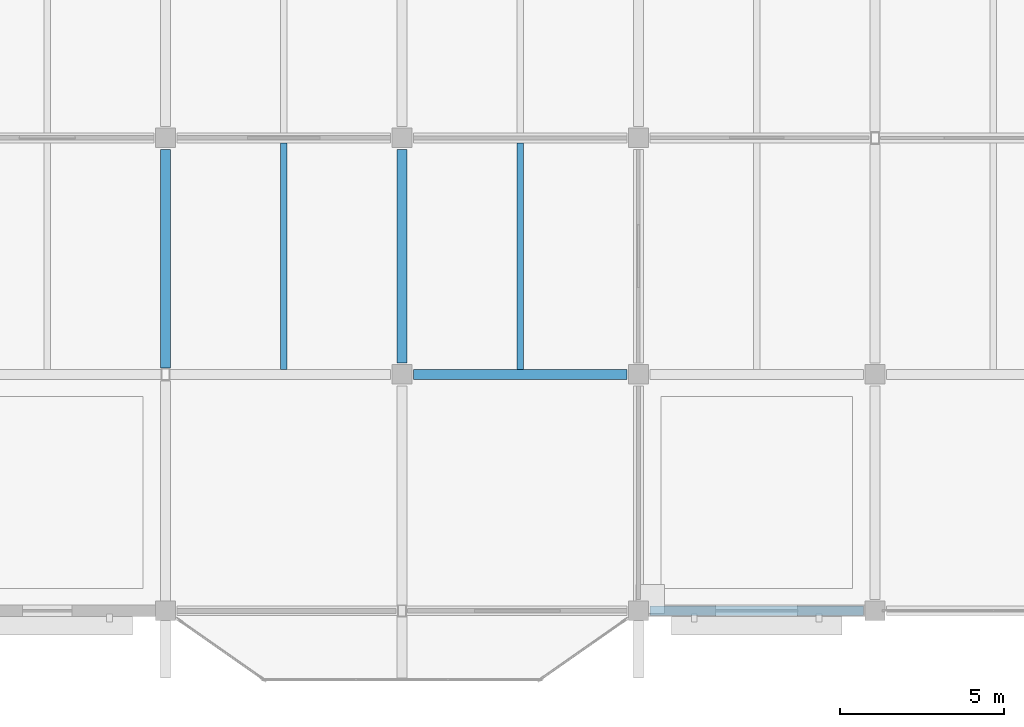
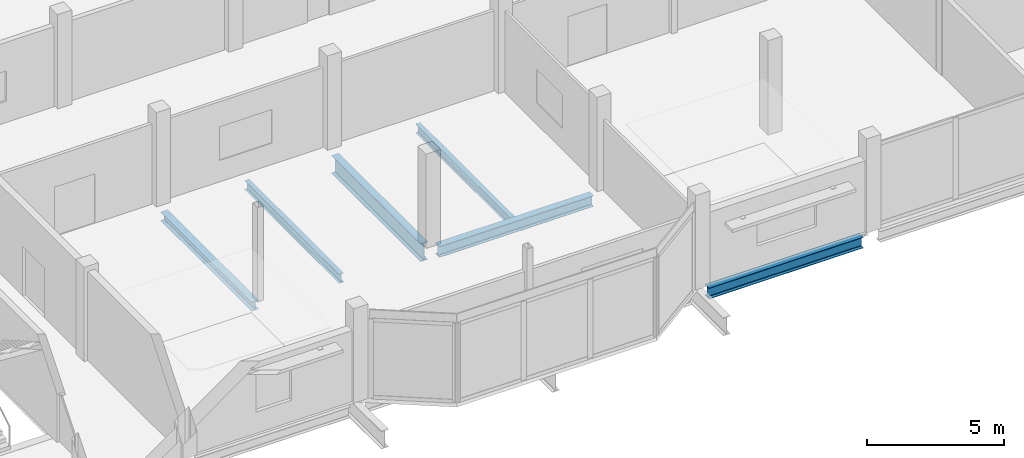
# One storey, part 26 of 51: 6 beams.
"""IFC4 building model written with IfcOpenShell, lengths in metres."""

from ifc_helpers import new_model, si_unit, direction, frame, origin, origin_2d, place, context, subcontext, project, spatial, i_section, extrude, material, material_profile, profile_set, type_object, element, save


model = new_model("IFC4")

# Units and contexts
model_context = context("Model", 3, precision=1e-05, world=origin(), true_north=direction((0.0, 1.0)))
body_context = subcontext(model_context, "Body", "Model", "MODEL_VIEW")
ifc_project = project(units=[si_unit("LENGTHUNIT", "METRE"), si_unit("AREAUNIT", "SQUARE_METRE"), si_unit("VOLUMEUNIT", "CUBIC_METRE"), si_unit("PLANEANGLEUNIT", "RADIAN"), si_unit("MASSUNIT", "GRAM", prefix="KILO")], contexts=[model_context])

# Site, building, storey
site_placement = place(None, origin())
site = spatial("IfcSite", under=ifc_project, at=site_placement, CompositionType="ELEMENT")
building_placement = place(site_placement, origin())
building = spatial("IfcBuilding", under=site, at=building_placement, Name="Vesperath Aquatics Centre", CompositionType="ELEMENT")
storey_placement = place(building_placement, frame((0.0, 0.0, 15.0)))
storey = spatial("IfcBuildingStorey", under=building, at=storey_placement, Name="L03", CompositionType="ELEMENT", Elevation=15.0)

# Beams
ifc_material_1 = material(Name="Steel Q355D", Category="steel")
ifc_material_profile_1 = material_profile(ifc_material_1, i_section(OverallWidth=0.300048828125, OverallDepth=0.800048828125, WebThickness=0.013916015625, FlangeThickness=0.02587890625, FilletRadius=0.028076171875, at=origin_2d()), Name="HN 800x300x14x26")
ifc_profile_set_1 = profile_set([ifc_material_profile_1], Name="Steel Q355D")
beam_type_1 = type_object("IfcBeamType", Name="BM-G07", PredefinedType="BEAM", material=ifc_profile_set_1)
beam_1_placement = place(storey_placement, frame((144.0, 7.550048828125, -0.639892578125), z_axis=(0.0, 1.0, 0.0), x_axis=(-1.0, 0.0, 0.0)))
element("IfcBeam", 1, at=beam_1_placement, inside=storey, type_object=beam_type_1, Name="Floor Girder B07 L03 21 B-C", PredefinedType="BEAM", context=body_context, shape_type="SweptSolid", body=[
    extrude(i_section(OverallWidth=0.300048828125, OverallDepth=0.800048828125, WebThickness=0.013916015625, FlangeThickness=0.02587890625, FilletRadius=0.028076171875, at=origin_2d()), origin(), (0.0, 0.0, 1.0), 6.5),
])
ifc_material_2 = material(Name="Steel Q355C", Category="steel")
ifc_material_profile_2 = material_profile(ifc_material_2, i_section(OverallWidth=0.300048828125, OverallDepth=0.488037109375, WebThickness=0.010986328125, FlangeThickness=0.01806640625, FilletRadius=0.02587890625, at=origin_2d()), Name="HM 488x300x11x18")
ifc_profile_set_2 = profile_set([ifc_material_profile_2], Name="Steel Q355C")
beam_type_2 = type_object("IfcBeamType", Name="BM-G10", PredefinedType="BEAM", material=ifc_profile_set_2)
for number, where, z_axis, x_axis, name in (
    (2, (144.35009765625, 7.199951171875, -0.48388671875), (1.0, 0.0, 0.0), (0.0, 1.0, 0.0), "Floor Girder B10 L03 B 21-22"),
    (3, (151.550048828125, 0.0, -0.48388671875), (1.0, 0.0, 0.0), (0.0, 1.0, 0.0), "Floor Girder B10 L03 A 22-23"),
):
    element("IfcBeam", number, at=place(storey_placement, frame(where, z_axis=z_axis, x_axis=x_axis)), inside=storey, type_object=beam_type_2, Name=name, PredefinedType="BEAM", context=body_context, shape_type="SweptSolid", body=[
        extrude(i_section(OverallWidth=0.300048828125, OverallDepth=0.488037109375, WebThickness=0.010986328125, FlangeThickness=0.01806640625, FilletRadius=0.02587890625, at=origin_2d()), origin(), (0.0, 0.0, 1.0), 6.5),
    ])
ifc_material_profile_3 = material_profile(ifc_material_2, i_section(OverallWidth=0.300048828125, OverallDepth=0.389892578125, WebThickness=0.010009765625, FlangeThickness=0.01611328125, FilletRadius=0.02197265625, at=origin_2d()), Name="HM 390x300x10x16")
ifc_profile_set_3 = profile_set([ifc_material_profile_3], Name="Steel Q355C")
beam_type_3 = type_object("IfcBeamType", Name="BM-G11", PredefinedType="BEAM", material=ifc_profile_set_3)
beam_2_placement = place(storey_placement, frame((136.800048828125, 7.39990234375, -0.43505859375), z_axis=(0.0, 1.0, 0.0), x_axis=(-1.0, 0.0, 0.0)))
element("IfcBeam", 4, at=beam_2_placement, inside=storey, type_object=beam_type_3, Name="Floor Girder B11 L03 20 B-C", PredefinedType="BEAM", context=body_context, shape_type="SweptSolid", body=[
    extrude(i_section(OverallWidth=0.300048828125, OverallDepth=0.389892578125, WebThickness=0.010009765625, FlangeThickness=0.01611328125, FilletRadius=0.02197265625, at=origin_2d()), origin(), (0.0, 0.0, 1.0), 6.650146484375),
])
ifc_material_profile_4 = material_profile(ifc_material_2, i_section(OverallWidth=0.199951171875, OverallDepth=0.39990234375, WebThickness=0.008056640625, FlangeThickness=0.012939453125, FilletRadius=0.01611328125, at=origin_2d()), Name="HN 400x200x8x13")
ifc_profile_set_4 = profile_set([ifc_material_profile_4], Name="Steel Q355C")
beam_type_4 = type_object("IfcBeamType", Name="BM-J04", PredefinedType="JOIST", material=ifc_profile_set_4)
for number, where, z_axis, x_axis, name in (
    (5, (140.39990234375, 7.35009765625, -0.43994140625), (0.0, 1.0, 0.0), (-1.0, 0.0, 0.0), "Secondary Floor Joist J04 L03 20/B"),
    (6, (147.60009765625, 7.35009765625, -0.43994140625), (0.0, 1.0, 0.0), (-1.0, 0.0, 0.0), "Secondary Floor Joist J04 L03 21/B"),
):
    element("IfcBeam", number, at=place(storey_placement, frame(where, z_axis=z_axis, x_axis=x_axis)), inside=storey, type_object=beam_type_4, Name=name, PredefinedType="JOIST", context=body_context, shape_type="SweptSolid", body=[
        extrude(i_section(OverallWidth=0.199951171875, OverallDepth=0.39990234375, WebThickness=0.008056640625, FlangeThickness=0.012939453125, FilletRadius=0.01611328125, at=origin_2d()), origin(), (0.0, 0.0, 1.0), 6.89990234375),
    ])

save(model, "model.ifc")
